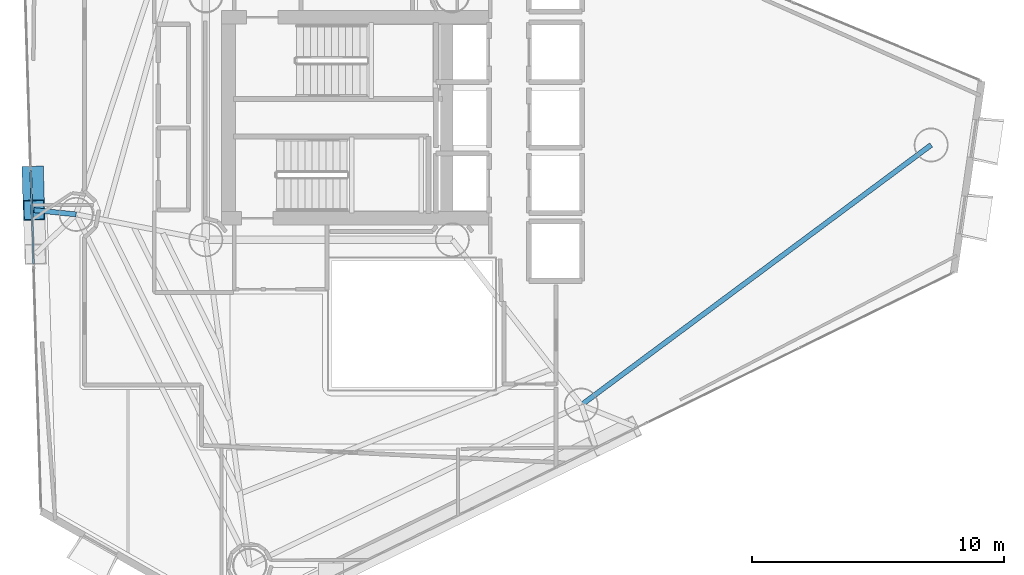
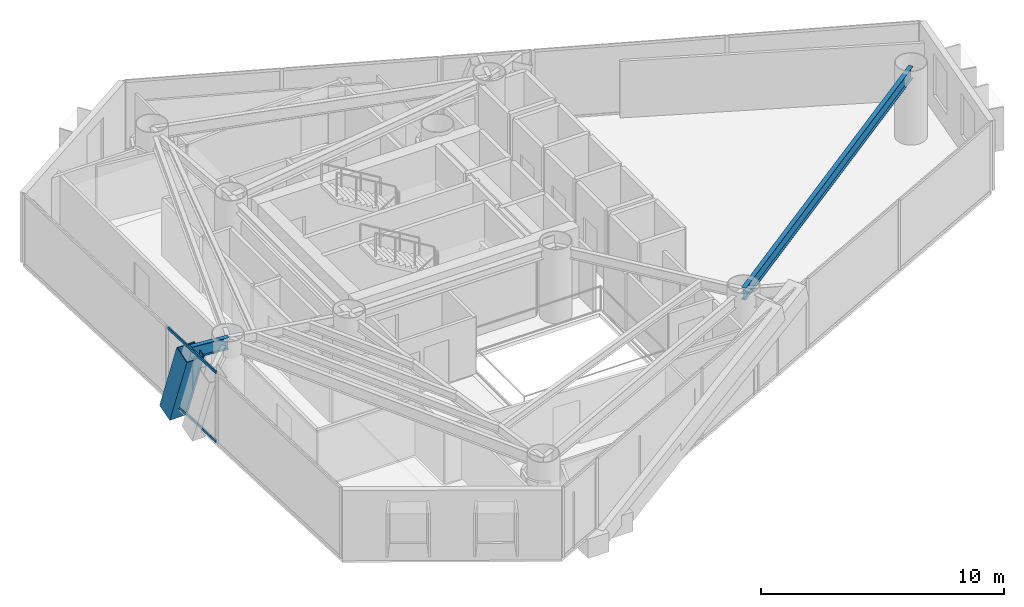
# One storey, part 8 of 22: 3 members, 2 beams, 1 element without a shape of its own.
"""IFC4 building model written with IfcOpenShell, lengths in metres."""

from ifc_helpers import new_model, si_unit, direction, frame, origin, origin_2d, place, context, subcontext, project, spatial, hollow_rectangle, i_section, extrude, material, layer, layer_set, material_profile, profile_set, type_object, element, aggregate, save


model = new_model("IFC4")

# Units and contexts
model_context = context("Model", 3, precision=1e-05, world=origin(), true_north=direction((0.0, 1.0)))
body_context = subcontext(model_context, "Body", "Model", "MODEL_VIEW")
ifc_project = project(units=[si_unit("LENGTHUNIT", "METRE"), si_unit("AREAUNIT", "SQUARE_METRE"), si_unit("VOLUMEUNIT", "CUBIC_METRE"), si_unit("PLANEANGLEUNIT", "RADIAN"), si_unit("MASSUNIT", "GRAM", prefix="KILO")], contexts=[model_context])

# Site, building, storey
site_placement = place(None, origin())
site = spatial("IfcSite", under=ifc_project, at=site_placement, CompositionType="ELEMENT")
building_placement = place(site_placement, origin())
building = spatial("IfcBuilding", under=site, at=building_placement, Name="Qianvela Tower", CompositionType="ELEMENT")
storey_placement = place(building_placement, frame((0.0, 0.0, 155.0)))
storey = spatial("IfcBuildingStorey", under=building, at=storey_placement, Name="L39", CompositionType="ELEMENT", Elevation=155.0)

# Beams
ifc_material_1 = material(Name="Steel Q355B", Category="steel")
ifc_material_profile_1 = material_profile(ifc_material_1, i_section(OverallWidth=0.199951171875, OverallDepth=0.60009765625, WebThickness=0.010986328125, FlangeThickness=0.01708984375, at=origin_2d()), Name="HN600x200x11x17")
ifc_profile_set_1 = profile_set([ifc_material_profile_1], Name="Steel Q355B")
beam_type = type_object("IfcBeamType", Name="BM-HN600-GIRD", PredefinedType="BEAM", material=ifc_profile_set_1)
beam_1_placement = place(storey_placement, frame((23.446044921875, 24.85888671875, 3.218017578125), z_axis=(-0.994979666615, 0.100077285245, 0.0), x_axis=(-0.100077285245, -0.994979666615, 0.0)))
element("IfcBeam", 1, at=beam_1_placement, inside=storey, type_object=beam_type, Name="L39 Mega-Brace Column Tie Bracket F2-1", PredefinedType="BEAM", context=body_context, shape_type="SweptSolid", body=[
    extrude(i_section(OverallWidth=0.199951171875, OverallDepth=0.60009765625, WebThickness=0.010986328125, FlangeThickness=0.01708984375, at=origin_2d()), origin(), (0.0, 0.0, 1.0), 1.685791015625),
])
beam_2_placement = place(storey_placement, frame((43.52490234375, 17.279052734375, 3.218017578125), z_axis=(0.802568869864, 0.596559476603, 0.0), x_axis=(-0.596559476603, 0.802568869864, 0.0)))
element("IfcBeam", 2, at=beam_2_placement, inside=storey, type_object=beam_type, Name="L39 Perimeter Ring Spandrel Girder 6", PredefinedType="BEAM", context=body_context, shape_type="SweptSolid", body=[
    extrude(i_section(OverallWidth=0.199951171875, OverallDepth=0.60009765625, WebThickness=0.010986328125, FlangeThickness=0.01708984375, at=origin_2d()), origin(), (0.0, 0.0, 1.0), 17.330810546875),
])

# Curtain wall, members
ifc_material_2 = material(Name="Anodised Architectural Aluminium and Insulated Spandrel Panel", Category="aluminium")
ifc_layer = layer(ifc_material_2, 0.179931640625)
ifc_layer_set = layer_set([ifc_layer], Name="Anodised Architectural Aluminium and Insulated Spandrel Panel")
curtain_wall_type = type_object("IfcCurtainWallType", Name="CW-BRACEBAY", PredefinedType="USERDEFINED", material=ifc_layer_set)
curtain_wall_placement = place(storey_placement, origin())
curtain_wall = element("IfcCurtainWall", 3, at=curtain_wall_placement, inside=storey, type_object=curtain_wall_type, Name="L39 CW-BRACEBAY Curtain Wall 04B", ObjectType="CURTAIN_WALL_SYSTEM", PredefinedType="USERDEFINED")
ifc_material_3 = material(Name="Anodised Architectural Aluminium 6063-T6", Category="aluminium")
ifc_material_profile_2 = material_profile(ifc_material_3, hollow_rectangle(XDim=0.06494140625, YDim=0.1298828125, WallThickness=0.00439453125, at=origin_2d()), Name="ALU-TRAN-65x130")
ifc_profile_set_2 = profile_set([ifc_material_profile_2], Name="Anodised Architectural Aluminium 6063-T6")
member_type_1 = type_object("IfcMemberType", Name="CW-BRACEBAY-TRAN", PredefinedType="USERDEFINED", material=ifc_profile_set_2)
member_1_placement = place(storey_placement, frame((21.639404296875, 26.631591796875, 0.032470703125), z_axis=(0.03066561285, -0.999529699503, 0.0), x_axis=(0.999529699503, 0.03066561285, 0.0)))
member_1 = element("IfcMember", 4, at=member_1_placement, type_object=member_type_1, Name="CW-9 transom 1.1", ObjectType="TRANSOM", PredefinedType="USERDEFINED", context=body_context, shape_type="SweptSolid", body=[
    extrude(hollow_rectangle(XDim=0.06494140625, YDim=0.1298828125, WallThickness=0.00439453125, at=origin_2d()), origin(), (0.0, 0.0, 1.0), 3.749755859375),
])
member_2_placement = place(storey_placement, frame((21.639404296875, 26.631591796875, 3.487548828125), z_axis=(0.03066561285, -0.999529699503, 0.0), x_axis=(0.999529699503, 0.03066561285, 0.0)))
member_2 = element("IfcMember", 5, at=member_2_placement, type_object=member_type_1, Name="CW-9 transom 1.2", ObjectType="TRANSOM", PredefinedType="USERDEFINED", context=body_context, shape_type="SweptSolid", body=[
    extrude(hollow_rectangle(XDim=0.06494140625, YDim=0.1298828125, WallThickness=0.00439453125, at=origin_2d()), origin(), (0.0, 0.0, 1.0), 3.749755859375),
])
aggregate(curtain_wall, [member_1, member_2])

# Member
ifc_material_4 = material(Name="Steel Q420GJC", Category="steel")
ifc_material_profile_3 = material_profile(ifc_material_4, hollow_rectangle(XDim=0.85009765625, YDim=0.85009765625, WallThickness=0.031982421875, at=origin_2d()), Name="MBOX-850x850x32")
ifc_profile_set_3 = profile_set([ifc_material_profile_3], Name="Steel Q420GJC")
member_type_2 = type_object("IfcMemberType", Name="MBR-MBRACE-850", PredefinedType="BRACE", material=ifc_profile_set_3)
member_3_placement = place(storey_placement, frame((21.7275390625, 26.368408203125, -0.48193359375), z_axis=(0.010483664205, -0.340688069899, 0.940117935056), x_axis=(0.999526877002, 0.030757473091, 0.0)))
element("IfcMember", 6, at=member_3_placement, inside=storey, type_object=member_type_2, Name="L39 Tier 6 Exterior Mega-Brace F2A", PredefinedType="BRACE", context=body_context, shape_type="SweptSolid", body=[
    extrude(hollow_rectangle(XDim=0.85009765625, YDim=0.85009765625, WallThickness=0.031982421875, at=origin_2d()), origin(), (0.0, 0.0, 1.0), 3.935546875),
])

save(model, "model.ifc")
